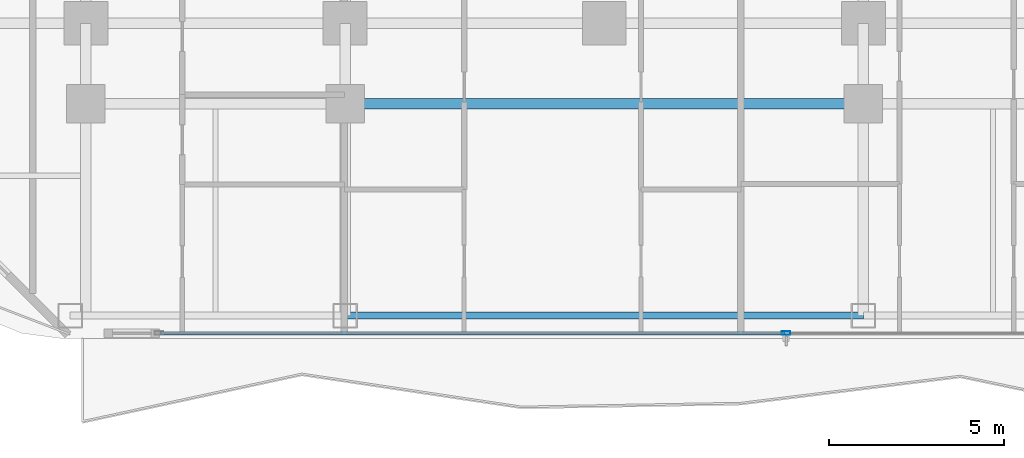
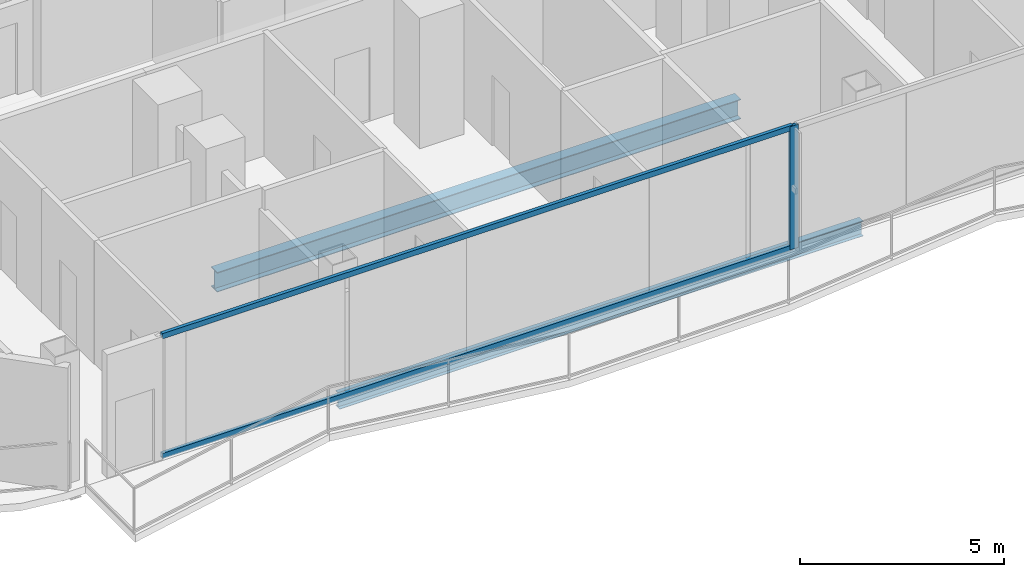
# One storey, part 3 of 29: 3 members, 2 beams, 1 element without a shape of its own.
"""IFC4 building model written with IfcOpenShell, lengths in metres."""

from ifc_helpers import new_model, si_unit, direction, frame, origin, origin_2d, place, context, subcontext, project, spatial, hollow_rectangle, i_section, extrude, material, layer, layer_set, material_profile, profile_set, type_object, element, aggregate, save


model = new_model("IFC4")

# Units and contexts
model_context = context("Model", 3, precision=1e-05, world=origin(), true_north=direction((0.0, 1.0)))
body_context = subcontext(model_context, "Body", "Model", "MODEL_VIEW")
ifc_project = project(units=[si_unit("LENGTHUNIT", "METRE"), si_unit("AREAUNIT", "SQUARE_METRE"), si_unit("VOLUMEUNIT", "CUBIC_METRE"), si_unit("PLANEANGLEUNIT", "RADIAN"), si_unit("MASSUNIT", "GRAM", prefix="KILO")], contexts=[model_context])

# Site, building, storey
site_placement = place(None, origin())
site = spatial("IfcSite", under=ifc_project, at=site_placement, CompositionType="ELEMENT")
building_placement = place(site_placement, origin())
building = spatial("IfcBuilding", under=site, at=building_placement, Name="Khorvyn Point Tower", CompositionType="ELEMENT")
storey_placement = place(building_placement, frame((0.0, 0.0, 144.60009765625)))
storey = spatial("IfcBuildingStorey", under=building, at=storey_placement, Name="L36", CompositionType="ELEMENT", Elevation=144.60009765625)

# Curtain wall, members
ifc_material_1 = material(Name="Anodised aluminium 6063-T6 and laminated Low-E glass", Category="aluminium")
ifc_layer = layer(ifc_material_1, 0.18994140625)
ifc_layer_set = layer_set([ifc_layer], Name="Stick-Built Acoustic Curtain Wall CW-SYS-03")
curtain_wall_type = type_object("IfcCurtainWallType", Name="Stick-Built Acoustic Curtain Wall CW-SYS-03", PredefinedType="NOTDEFINED", material=ifc_layer_set)
curtain_wall_placement = place(storey_placement, origin())
curtain_wall = element("IfcCurtainWall", 1, at=curtain_wall_placement, inside=storey, type_object=curtain_wall_type, Name="Curtain Wall", PredefinedType="NOTDEFINED")
ifc_material_2 = material(Name="Anodised aluminium 6063-T6", Category="aluminium")
ifc_material_profile_1 = material_profile(ifc_material_2, hollow_rectangle(XDim=0.10009765625, YDim=0.239990234375, WallThickness=0.0048828125, at=origin_2d()))
ifc_profile_set_1 = profile_set([ifc_material_profile_1], Name="Anodised aluminium 6063-T6 ALU-MUL-100x240")
member_type_1 = type_object("IfcMemberType", Name="Anodised Aluminium 6063-T6 Mullion ALU-MUL-100x240", PredefinedType="MULLION", material=ifc_profile_set_1)
member_1_placement = place(storey_placement, frame((5.1904296875, -23.64990234375, 0.0), z_axis=(0.0, 0.0, 1.0), x_axis=(0.0, -1.0, 0.0)))
member_1 = element("IfcMember", 2, at=member_1_placement, type_object=member_type_1, Name="Transom", PredefinedType="MULLION", context=body_context, shape_type="SweptSolid", body=[
    extrude(hollow_rectangle(XDim=0.10009765625, YDim=0.239990234375, WallThickness=0.0048828125, at=origin_2d()), origin(), (0.0, 0.0, 1.0), 3.679931640625),
])
ifc_material_profile_2 = material_profile(ifc_material_2, hollow_rectangle(XDim=0.10009765625, YDim=0.159912109375, WallThickness=0.00439453125, at=origin_2d()))
ifc_profile_set_2 = profile_set([ifc_material_profile_2], Name="Anodised aluminium 6063-T6 ALU-TRN-100x160")
member_type_2 = type_object("IfcMemberType", Name="Anodised Aluminium 6063-T6 Transom ALU-TRN-100x160", PredefinedType="USERDEFINED", material=ifc_profile_set_2)
member_2_placement = place(storey_placement, frame((5.140380859375, -23.64990234375, 0.0498046875), z_axis=(-1.0, 0.0, 0.0), x_axis=(0.0, -1.0, 0.0)))
member_2 = element("IfcMember", 3, at=member_2_placement, type_object=member_type_2, Name="Transom", ObjectType="TRANSOM", PredefinedType="USERDEFINED", context=body_context, shape_type="SweptSolid", body=[
    extrude(hollow_rectangle(XDim=0.10009765625, YDim=0.159912109375, WallThickness=0.00439453125, at=origin_2d()), origin(), (0.0, 0.0, 1.0), 17.809326171875),
])
member_3_placement = place(storey_placement, frame((5.140380859375, -23.64990234375, 3.6298828125), z_axis=(-1.0, 0.0, 0.0), x_axis=(0.0, -1.0, 0.0)))
member_3 = element("IfcMember", 4, at=member_3_placement, type_object=member_type_2, Name="Transom", ObjectType="TRANSOM", PredefinedType="USERDEFINED", context=body_context, shape_type="SweptSolid", body=[
    extrude(hollow_rectangle(XDim=0.10009765625, YDim=0.159912109375, WallThickness=0.00439453125, at=origin_2d()), origin(), (0.0, 0.0, 1.0), 17.809326171875),
])
aggregate(curtain_wall, [member_1, member_2, member_3])

# Beams
ifc_material_3 = material(Name="Steel S355", Category="steel")
ifc_material_profile_3 = material_profile(ifc_material_3, i_section(OverallWidth=0.300048828125, OverallDepth=0.587890625, WebThickness=0.011962890625, FlangeThickness=0.02001953125, at=origin_2d()))
ifc_profile_set_3 = profile_set([ifc_material_profile_3], Name="Steel S355 H588x300x12x20")
beam_type_1 = type_object("IfcBeamType", Name="Steel S355 Beam H588x300x12x20", PredefinedType="BEAM", material=ifc_profile_set_3)
beam_1_placement = place(storey_placement, frame((-7.39990234375, -17.10009765625, -0.51416015625), z_axis=(1.0, 0.0, 0.0), x_axis=(0.0, 1.0, 0.0)))
element("IfcBeam", 5, at=beam_1_placement, inside=storey, type_object=beam_type_1, Name="Beam", PredefinedType="BEAM", context=body_context, shape_type="SweptSolid", body=[
    extrude(i_section(OverallWidth=0.300048828125, OverallDepth=0.587890625, WebThickness=0.011962890625, FlangeThickness=0.02001953125, at=origin_2d()), origin(), (0.0, 0.0, 1.0), 14.7998046875),
])
ifc_material_profile_4 = material_profile(ifc_material_3, i_section(OverallWidth=0.199951171875, OverallDepth=0.449951171875, WebThickness=0.009033203125, FlangeThickness=0.013916015625, at=origin_2d()))
ifc_profile_set_4 = profile_set([ifc_material_profile_4], Name="Steel S355 H450x200x9x14")
beam_type_2 = type_object("IfcBeamType", Name="Steel S355 Spandrel H450x200x9x14", PredefinedType="SPANDREL", material=ifc_profile_set_4)
beam_2_placement = place(storey_placement, frame((-7.39990234375, -23.14990234375, -0.445068359375), z_axis=(1.0, 0.0, 0.0), x_axis=(0.0, 1.0, 0.0)))
element("IfcBeam", 6, at=beam_2_placement, inside=storey, type_object=beam_type_2, Name="Beam", PredefinedType="SPANDREL", context=body_context, shape_type="SweptSolid", body=[
    extrude(i_section(OverallWidth=0.199951171875, OverallDepth=0.449951171875, WebThickness=0.009033203125, FlangeThickness=0.013916015625, at=origin_2d()), origin(), (0.0, 0.0, 1.0), 14.7998046875),
])

save(model, "model.ifc")
